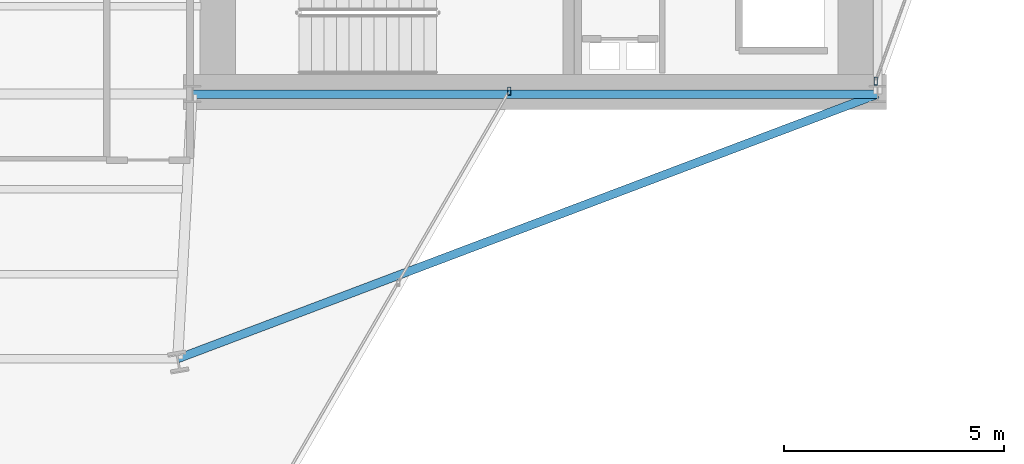
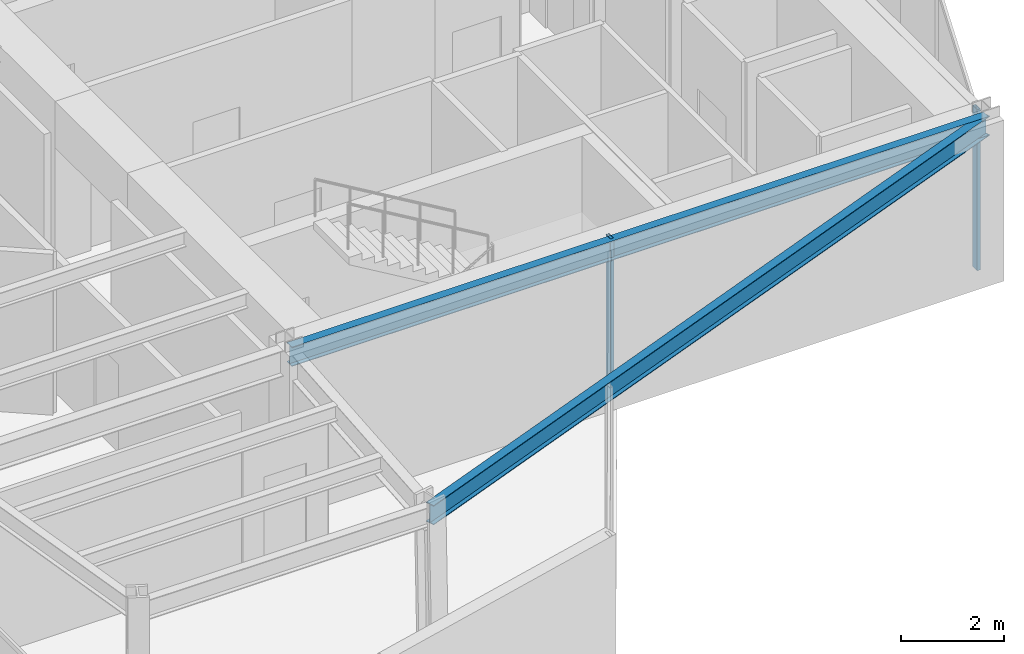
# One storey, part 13 of 25: 2 beams, 2 members, 2 elements without a shape of their own.
"""IFC4 building model written with IfcOpenShell, lengths in metres."""

import ifcopenshell
import ifcopenshell.guid

model = None  # the IFC model being written
_history = None  # IfcOwnerHistory: only IFC2X3 demands one
_inside = {}  # id of a spatial element -> (the spatial element, [elements in it])
_under = {}  # id of a project, library or spatial element -> (it, [spatial elements below it])
_declared = {}  # id of a project -> (the project, [libraries it declares])
_typed = {}  # id of a type object -> (the type object, [elements of that type])
_made_of = {}  # id of a material, layer set ... -> (it, [elements and type objects made of it])


def new_model(schema):
    """Start an empty IFC model of exactly this schema.

    Asked for "IFC4X3", IfcOpenShell would pick the latest addendum, in which some entities
    have other attributes; the version numbers below select the first issue.
    IFC2X3 requires an IfcOwnerHistory on every rooted entity: one is made here for all.
    """
    global model, _history
    if schema == "IFC4X3":
        model = ifcopenshell.file(schema_version=(4, 3, 0, 0))
    else:
        model = ifcopenshell.file(schema=schema)
    _inside.clear()
    _under.clear()
    _declared.clear()
    _typed.clear()
    _made_of.clear()
    _history = None
    if model.schema == "IFC2X3":
        org = make("IfcOrganization", Name="unknown")
        user = make(
            "IfcPersonAndOrganization",
            ThePerson=make("IfcPerson", FamilyName="unknown"),
            TheOrganization=org,
        )
        app = make(
            "IfcApplication",
            ApplicationDeveloper=org,
            Version="unknown",
            ApplicationFullName="unknown",
            ApplicationIdentifier="unknown",
        )
        _history = make(
            "IfcOwnerHistory",
            OwningUser=user,
            OwningApplication=app,
            ChangeAction="ADDED",
            CreationDate=0,
        )
    return model


def make(cls, **values):
    """One entity of the class cls with the attributes given. An attribute that is None is left unset."""
    return model.create_entity(
        cls, **{name: value for name, value in values.items() if value is not None}
    )


def rooted(cls, **values):
    """An entity with a GlobalId (a new one), such as an element, a storey or a relation."""
    return make(cls, GlobalId=ifcopenshell.guid.new(), OwnerHistory=_history, **values)


def si_unit(unit_type, name, prefix=None):
    """IfcSIUnit, for example si_unit("LENGTHUNIT", "METRE", prefix="MILLI")."""
    return make("IfcSIUnit", UnitType=unit_type, Prefix=prefix, Name=name)


def assignment(units):
    """IfcUnitAssignment: the units of a project."""
    return None if units is None else make("IfcUnitAssignment", Units=units)


def point(xyz):
    """IfcCartesianPoint."""
    return None if xyz is None else make("IfcCartesianPoint", Coordinates=xyz)


def direction(xyz):
    """IfcDirection."""
    return None if xyz is None else make("IfcDirection", DirectionRatios=xyz)


def frame(location, z_axis=None, x_axis=None):
    """IfcAxis2Placement3D, a coordinate frame: its origin and axes. An axis left out is left unset."""
    return make(
        "IfcAxis2Placement3D",
        Location=point(location),
        Axis=direction(z_axis),
        RefDirection=direction(x_axis),
    )


def frame_2d(location, x_axis=None):
    """IfcAxis2Placement2D, a coordinate frame in the plane: its origin and x axis."""
    return make(
        "IfcAxis2Placement2D", Location=point(location), RefDirection=direction(x_axis)
    )


def origin():
    """The frame at (0, 0, 0) with its axes left unset."""
    return frame((0.0, 0.0, 0.0))


def origin_2d():
    """The frame at (0, 0) in the plane with its x axis left unset."""
    return frame_2d((0.0, 0.0))


def place(relative_to, where):
    """IfcLocalPlacement: puts the frame where relative to a parent placement (None: the world)."""
    return make(
        "IfcLocalPlacement", PlacementRelTo=relative_to, RelativePlacement=where
    )


def context(
    kind, dimensions, precision=None, world=None, true_north=None, identifier=None
):
    """IfcGeometricRepresentationContext, for example the 3D "Model" context."""
    return make(
        "IfcGeometricRepresentationContext",
        ContextIdentifier=identifier,
        ContextType=kind,
        CoordinateSpaceDimension=dimensions,
        Precision=precision,
        WorldCoordinateSystem=world,
        TrueNorth=true_north,
    )


def subcontext(parent, identifier, kind, view, scale=None):
    """IfcGeometricRepresentationSubContext, for example "Body" below "Model"."""
    return make(
        "IfcGeometricRepresentationSubContext",
        ContextIdentifier=identifier,
        ContextType=kind,
        ParentContext=parent,
        TargetScale=scale,
        TargetView=view,
    )


def project(units=None, contexts=None):
    """IfcProject with its units and contexts."""
    return rooted(
        "IfcProject",
        Name="project",
        RepresentationContexts=contexts,
        UnitsInContext=assignment(units),
    )


def spatial(cls, under=None, at=None, **own):
    """A site, building, storey or space (cls), placed at a placement, below another one or the project."""
    s = rooted(cls, ObjectPlacement=at, **own)
    if under is not None:
        _under.setdefault(under.id(), (under, []))[1].append(s)
    return s


def profile(cls, at=None, kind="AREA", **sizes):
    """A parametric profile (cls). Its sizes go by their IFC names, for example OverallWidth=200.0."""
    return make(cls, ProfileType=kind, Position=at, **sizes)


def hollow_rectangle(**sizes):
    """IfcRectangleHollowProfileDef."""
    return profile("IfcRectangleHollowProfileDef", **sizes)


def i_section(**sizes):
    """IfcIShapeProfileDef."""
    return profile("IfcIShapeProfileDef", **sizes)


def extrude(swept, where, along, depth):
    """IfcExtrudedAreaSolid: the profile swept, set in the frame where, extruded along a direction by depth."""
    return make(
        "IfcExtrudedAreaSolid",
        SweptArea=swept,
        Position=where,
        ExtrudedDirection=direction(along),
        Depth=depth,
    )


def shape(context_of_items, identifier, shape_type, items):
    """IfcShapeRepresentation: the items that make up one representation, for example the "Body"."""
    return make(
        "IfcShapeRepresentation",
        ContextOfItems=context_of_items,
        RepresentationIdentifier=identifier,
        RepresentationType=shape_type,
        Items=items,
    )


def material(Name=None, Category=None):
    """IfcMaterial."""
    return make("IfcMaterial", Name=Name, Category=Category)


def layer(
    of_material, thickness, ventilated=None, Name=None, Category=None, Priority=None
):
    """IfcMaterialLayer: one layer of a wall or slab, of a material (None: an air gap)."""
    return make(
        "IfcMaterialLayer",
        Material=of_material,
        LayerThickness=thickness,
        IsVentilated=ventilated,
        Name=Name,
        Category=Category,
        Priority=Priority,
    )


def layer_set(layers, Name=None):
    """IfcMaterialLayerSet."""
    return make("IfcMaterialLayerSet", MaterialLayers=layers, LayerSetName=Name)


def material_profile(
    of_material, cross_section, Name=None, Category=None, Priority=None
):
    """IfcMaterialProfile: a cross section and its material."""
    return make(
        "IfcMaterialProfile",
        Name=Name,
        Material=of_material,
        Profile=cross_section,
        Priority=Priority,
        Category=Category,
    )


def profile_set(profiles, Name=None, composite=None):
    """IfcMaterialProfileSet."""
    return make(
        "IfcMaterialProfileSet",
        Name=Name,
        MaterialProfiles=profiles,
        CompositeProfile=composite,
    )


def made_of(thing, what):
    """Note that an element or type object is made of a material, layer set ...; save() writes the relation."""
    if what is not None:
        _made_of.setdefault(what.id(), (what, []))[1].append(thing)
    return thing


def type_object(cls, material=None, **own):
    """A type object (cls), such as IfcWallType, which elements share."""
    return made_of(rooted(cls, **own), material)


def element(
    cls,
    number,
    at=None,
    inside=None,
    cuts=None,
    type_object=None,
    material=None,
    context=None,
    identifier="Body",
    shape_type=None,
    held_by="IfcProductDefinitionShape",
    body=None,
    shapes=None,
    **own,
):
    """One element of the class cls, such as IfcWall. Its Tag is "e" and its number.

    at: its placement. inside: the storey or other place that contains it. cuts: it is an
    opening in that element (IfcRelVoidsElement). A single representation is given by context,
    identifier, shape_type and body (its items); several are given by shapes. held_by: the class
    of the entity that holds the representations. save() writes the other relations.
    """
    e = rooted(cls, Tag="e%d" % number, ObjectPlacement=at, **own)
    if body is not None:
        shapes = [shape(context, identifier, shape_type, body)]
    if shapes is not None:
        e.Representation = make(held_by, Representations=shapes)
    if inside is not None:
        _inside.setdefault(inside.id(), (inside, []))[1].append(e)
    if cuts is not None:
        rooted(
            "IfcRelVoidsElement", RelatingBuildingElement=cuts, RelatedOpeningElement=e
        )
    if type_object is not None:
        _typed.setdefault(type_object.id(), (type_object, []))[1].append(e)
    return made_of(e, material)


def aggregate(whole, parts):
    """IfcRelAggregates: a whole, such as a stair, and the parts it consists of."""
    return rooted("IfcRelAggregates", RelatingObject=whole, RelatedObjects=parts)


def save(model, path):
    """Write the relations noted so far, then the file.

    IfcRelAggregates (storeys below a building ...), IfcRelContainedInSpatialStructure (elements
    in a storey), IfcRelDefinesByType, IfcRelAssociatesMaterial and IfcRelDeclares: one each for
    every whole, place, type object, material and project.
    """
    for whole, parts in _under.values():
        aggregate(whole, parts)
    for where, things in _inside.values():
        rooted(
            "IfcRelContainedInSpatialStructure",
            RelatedElements=things,
            RelatingStructure=where,
        )
    for kind, things in _typed.values():
        rooted("IfcRelDefinesByType", RelatedObjects=things, RelatingType=kind)
    for what, things in _made_of.values():
        rooted("IfcRelAssociatesMaterial", RelatedObjects=things, RelatingMaterial=what)
    for by, libraries in _declared.values():
        rooted("IfcRelDeclares", RelatingContext=by, RelatedDefinitions=libraries)
    model.write(path)


model = new_model("IFC4")

# Units and contexts
model_context = context("Model", 3, precision=1e-05, world=origin(), true_north=direction((0.0, 1.0)))
body_context = subcontext(model_context, "Body", "Model", "MODEL_VIEW")
ifc_project = project(units=[si_unit("LENGTHUNIT", "METRE"), si_unit("AREAUNIT", "SQUARE_METRE"), si_unit("VOLUMEUNIT", "CUBIC_METRE"), si_unit("PLANEANGLEUNIT", "RADIAN"), si_unit("MASSUNIT", "GRAM", prefix="KILO")], contexts=[model_context])

# Site, building, storey
site_placement = place(None, origin())
site = spatial("IfcSite", under=ifc_project, at=site_placement, CompositionType="ELEMENT")
building_placement = place(site_placement, origin())
building = spatial("IfcBuilding", under=site, at=building_placement, Name="Veymaron Broadcast Tower", CompositionType="ELEMENT")
storey_placement = place(building_placement, frame((0.0, 0.0, 173.550048828125)))
storey = spatial("IfcBuildingStorey", under=building, at=storey_placement, Name="L40", CompositionType="ELEMENT", Elevation=173.550048828125)

# Beams
ifc_material_1 = material(Name="Structural steel ASTM A992 Gr 50", Category="steel")
ifc_material_profile_1 = material_profile(ifc_material_1, i_section(OverallWidth=0.19091796875, OverallDepth=0.4599609375, WebThickness=0.010009765625, FlangeThickness=0.01611328125, at=origin_2d()), Name="W460X82")
ifc_profile_set_1 = profile_set([ifc_material_profile_1], Name="Structural steel ASTM A992 Gr 50")
beam_type = type_object("IfcBeamType", Name="BM-SP1", PredefinedType="SPANDREL", material=ifc_profile_set_1)
beam_1_placement = place(storey_placement, frame((39.0, 16.0, 3.579833984375), z_axis=(1.0, 0.0, 0.0), x_axis=(0.0, 1.0, 0.0)))
element("IfcBeam", 1, at=beam_1_placement, inside=storey, type_object=beam_type, Name="L40 primary structural floor girder", PredefinedType="SPANDREL", context=body_context, shape_type="SweptSolid", body=[
    extrude(i_section(OverallWidth=0.19091796875, OverallDepth=0.4599609375, WebThickness=0.010009765625, FlangeThickness=0.01611328125, at=origin_2d()), origin(), (0.0, 0.0, 1.0), 15.60009765625),
])
beam_2_placement = place(storey_placement, frame((54.60009765625, 16.0, 3.579833984375), z_axis=(-0.935434172434, -0.353500932167, 0.0), x_axis=(0.353500932167, -0.935434172434, 0.0)))
element("IfcBeam", 2, at=beam_2_placement, inside=storey, type_object=beam_type, Name="L40 primary structural floor girder", PredefinedType="SPANDREL", context=body_context, shape_type="SweptSolid", body=[
    extrude(i_section(OverallWidth=0.19091796875, OverallDepth=0.4599609375, WebThickness=0.010009765625, FlangeThickness=0.01611328125, at=origin_2d()), origin(), (0.0, 0.0, 1.0), 17.02978515625),
])

# Curtain wall, member
ifc_material_2 = material(Name="Anodised aluminium AA 6063-T6 and laminated low-E dark glass", Category="aluminium")
ifc_layer = layer(ifc_material_2, 0.179931640625)
ifc_layer_set = layer_set([ifc_layer], Name="Anodised aluminium AA 6063-T6 and laminated low-E dark glass")
curtain_wall_type = type_object("IfcCurtainWallType", Name="CW-SYS-03", PredefinedType="NOTDEFINED", material=ifc_layer_set)
curtain_wall_1_placement = place(storey_placement, origin())
curtain_wall_1 = element("IfcCurtainWall", 3, at=curtain_wall_1_placement, inside=storey, type_object=curtain_wall_type, Name="L40 dark-glass curtain wall CW-L40-E2-1", PredefinedType="NOTDEFINED")
ifc_material_3 = material(Name="Anodised aluminium AA 6063-T6", Category="aluminium")
ifc_material_profile_2 = material_profile(ifc_material_3, hollow_rectangle(XDim=0.074951171875, YDim=0.179931640625, WallThickness=0.0048828125, at=origin_2d()), Name="AL180X75X5")
ifc_profile_set_2 = profile_set([ifc_material_profile_2], Name="Anodised aluminium AA 6063-T6")
member_type = type_object("IfcMemberType", Name="CW-MUL-02", PredefinedType="MULLION", material=ifc_profile_set_2)
member_1_placement = place(storey_placement, frame((54.558837890625, 16.299072265625, 0.0), z_axis=(0.0, 0.0, 1.0), x_axis=(1.0, 0.0, 0.0)))
member_1 = element("IfcMember", 4, at=member_1_placement, type_object=member_type, Name="CW-L40-E2-1 mullion 0", PredefinedType="MULLION", context=body_context, shape_type="SweptSolid", body=[
    extrude(hollow_rectangle(XDim=0.074951171875, YDim=0.179931640625, WallThickness=0.0048828125, at=origin_2d()), origin(), (0.0, 0.0, 1.0), 3.81005859375),
])
aggregate(curtain_wall_1, [member_1])

curtain_wall_2_placement = place(storey_placement, origin())
curtain_wall_2 = element("IfcCurtainWall", 5, at=curtain_wall_2_placement, inside=storey, type_object=curtain_wall_type, Name="L40 dark-glass curtain wall CW-L40-E20-1", PredefinedType="NOTDEFINED")
member_2_placement = place(storey_placement, frame((46.21435546875, 16.0703125, 0.0), z_axis=(0.0, 0.0, 1.0), x_axis=(1.0, 0.0, 0.0)))
member_2 = element("IfcMember", 6, at=member_2_placement, type_object=member_type, Name="CW-L40-E20-1 mullion 2", PredefinedType="MULLION", context=body_context, shape_type="SweptSolid", body=[
    extrude(hollow_rectangle(XDim=0.074951171875, YDim=0.179931640625, WallThickness=0.0048828125, at=origin_2d()), origin(), (0.0, 0.0, 1.0), 3.81005859375),
])
aggregate(curtain_wall_2, [member_2])

save(model, "model.ifc")
